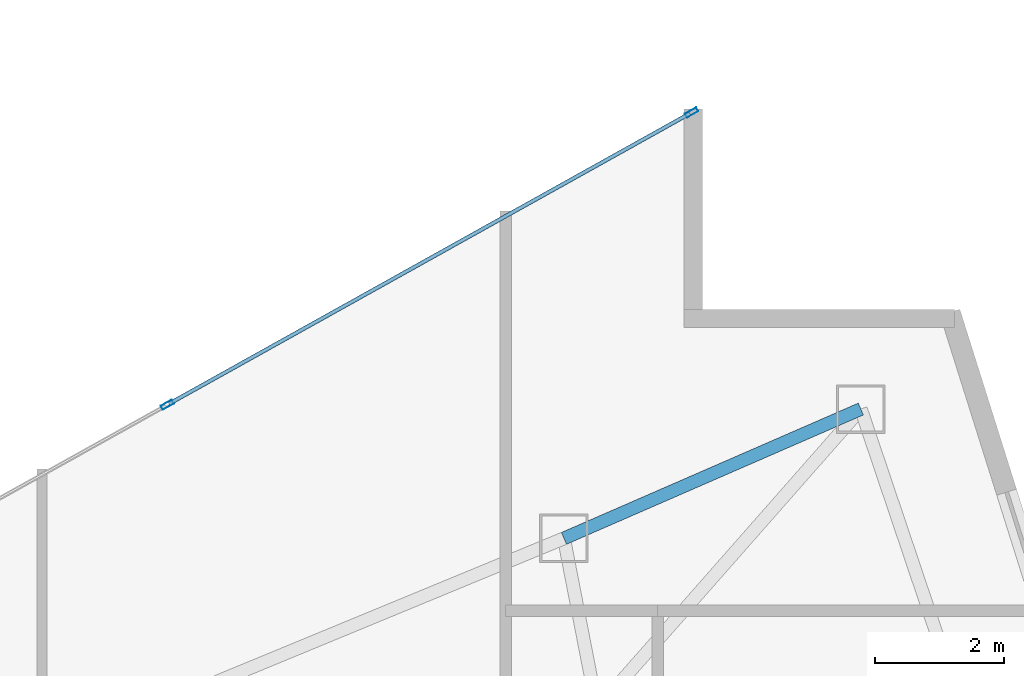
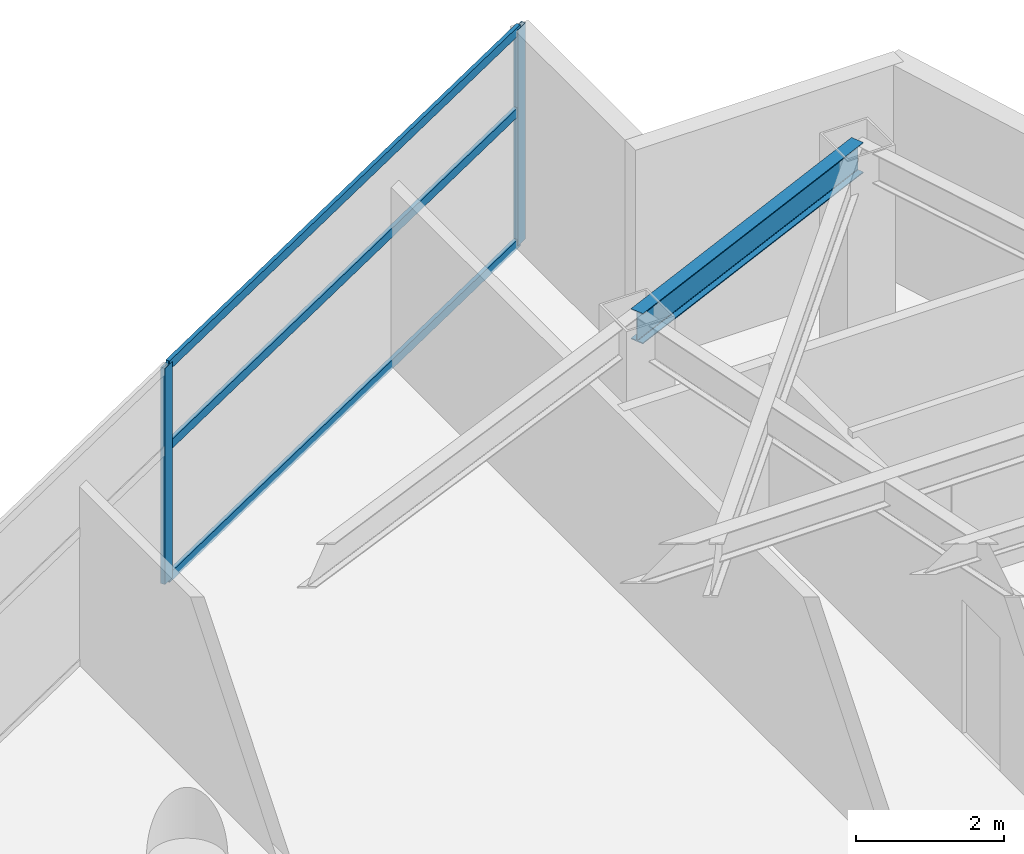
# One storey, part 20 of 28: 5 members, 1 beam, 1 element without a shape of its own.
"""IFC4 building model written with IfcOpenShell, lengths in metres."""

from ifc_helpers import new_model, si_unit, direction, frame, origin, origin_2d, place, context, subcontext, project, spatial, hollow_rectangle, i_section, extrude, material, layer, layer_set, material_profile, profile_set, type_object, element, aggregate, save


model = new_model("IFC4")

# Units and contexts
model_context = context("Model", 3, precision=1e-05, world=origin(), true_north=direction((0.0, 1.0)))
body_context = subcontext(model_context, "Body", "Model", "MODEL_VIEW")
ifc_project = project(units=[si_unit("LENGTHUNIT", "METRE"), si_unit("AREAUNIT", "SQUARE_METRE"), si_unit("VOLUMEUNIT", "CUBIC_METRE"), si_unit("PLANEANGLEUNIT", "RADIAN"), si_unit("MASSUNIT", "GRAM", prefix="KILO")], contexts=[model_context])

# Site, building, storey
site_placement = place(None, origin())
site = spatial("IfcSite", under=ifc_project, at=site_placement, CompositionType="ELEMENT")
building_placement = place(site_placement, origin())
building = spatial("IfcBuilding", under=site, at=building_placement, Name="Calvorn Quay Hotel", CompositionType="ELEMENT")
storey_placement = place(building_placement, frame((0.0, 0.0, 159.89990234375)))
storey = spatial("IfcBuildingStorey", under=building, at=storey_placement, Name="L39", CompositionType="ELEMENT", Elevation=159.89990234375)

# Beam
ifc_material_1 = material(Name="Steel Q355B", Category="steel")
ifc_material_profile_1 = material_profile(ifc_material_1, i_section(OverallWidth=0.199951171875, OverallDepth=0.5, WebThickness=0.010009765625, FlangeThickness=0.01611328125, FilletRadius=0.01611328125, at=origin_2d()), Name="HN500x200x10x16")
ifc_profile_set_1 = profile_set([ifc_material_profile_1], Name="Steel Q355B")
beam_type = type_object("IfcBeamType", Name="BM-SPANDREL-Z1", PredefinedType="SPANDREL", material=ifc_profile_set_1)
beam_placement = place(storey_placement, frame((48.591064453125, 33.39990234375, 3.2900390625), z_axis=(-0.916786146489, -0.399378469132, 0.0), x_axis=(0.399378469132, -0.916786146489, 0.0)))
element("IfcBeam", 1, at=beam_placement, inside=storey, type_object=beam_type, Name="Beam BSP-L39-E3", PredefinedType="SPANDREL", context=body_context, shape_type="SweptSolid", body=[
    extrude(i_section(OverallWidth=0.199951171875, OverallDepth=0.5, WebThickness=0.010009765625, FlangeThickness=0.01611328125, FilletRadius=0.01611328125, at=origin_2d()), origin(), (0.0, 0.0, 1.0), 5.0078125),
])

# Curtain wall, members
ifc_material_2 = material(Name="Pale Anodised Aluminium and Low-E Glass", Category="aluminium")
ifc_layer = layer(ifc_material_2, 0.219970703125)
ifc_layer_set = layer_set([ifc_layer], Name="CW-SYS-Z2")
curtain_wall_type = type_object("IfcCurtainWallType", Name="CW-SYS-Z2", PredefinedType="NOTDEFINED", material=ifc_layer_set)
curtain_wall_placement = place(storey_placement, origin())
curtain_wall = element("IfcCurtainWall", 2, at=curtain_wall_placement, inside=storey, type_object=curtain_wall_type, Name="Inner Court Curtain Wall L39-NE1", PredefinedType="NOTDEFINED")
ifc_material_3 = material(Name="Pale Anodised Aluminium 6063-T6", Category="aluminium")
ifc_material_profile_2 = material_profile(ifc_material_3, hollow_rectangle(XDim=0.070068359375, YDim=0.199951171875, WallThickness=0.00390625, at=origin_2d()), Name="ALU-M200x70x4")
ifc_profile_set_2 = profile_set([ifc_material_profile_2], Name="Pale Anodised Aluminium 6063-T6")
member_type_1 = type_object("IfcMemberType", Name="CW-SYS-Z2-MUL", PredefinedType="MULLION", material=ifc_profile_set_2)
member_1_placement = place(storey_placement, frame((45.973876953125, 37.9853515625, 0.0), z_axis=(0.0, 0.0, 1.0), x_axis=(0.486858256224, -0.873480989116, 0.0)))
member_1 = element("IfcMember", 3, at=member_1_placement, type_object=member_type_1, Name="CW-L39-NE1 mullion 1", PredefinedType="MULLION", context=body_context, shape_type="SweptSolid", body=[
    extrude(hollow_rectangle(XDim=0.070068359375, YDim=0.199951171875, WallThickness=0.00390625, at=origin_2d()), origin(), (0.0, 0.0, 1.0), 3.56005859375),
])
member_2_placement = place(storey_placement, frame((37.86669921875, 33.466552734375, 0.0), z_axis=(0.0, 0.0, 1.0), x_axis=(0.486858256224, -0.873480989116, 0.0)))
member_2 = element("IfcMember", 4, at=member_2_placement, type_object=member_type_1, Name="CW-L39-NE1 mullion 2", PredefinedType="MULLION", context=body_context, shape_type="SweptSolid", body=[
    extrude(hollow_rectangle(XDim=0.070068359375, YDim=0.199951171875, WallThickness=0.00390625, at=origin_2d()), origin(), (0.0, 0.0, 1.0), 3.56005859375),
])
ifc_material_4 = material(Name="Pale Anodised Aluminium 6063-T6", Category="aluminium")
ifc_material_profile_3 = material_profile(ifc_material_4, hollow_rectangle(XDim=0.06005859375, YDim=0.14990234375, WallThickness=0.00341796875, at=origin_2d()), Name="ALU-T150x60x3.5")
ifc_profile_set_3 = profile_set([ifc_material_profile_3], Name="Pale Anodised Aluminium 6063-T6")
member_type_2 = type_object("IfcMemberType", Name="CW-SYS-Z2-TRN", PredefinedType="USERDEFINED", material=ifc_profile_set_3)
member_3_placement = place(storey_placement, frame((45.947509765625, 37.970703125, 0.030029296875), z_axis=(-0.87348080454, -0.486858587375, 0.0), x_axis=(0.486858587375, -0.87348080454, 0.0)))
member_3 = element("IfcMember", 5, at=member_3_placement, type_object=member_type_2, Name="CW-L39-NE1 transom 1.1", ObjectType="TRANSOM", PredefinedType="USERDEFINED", context=body_context, shape_type="SweptSolid", body=[
    extrude(hollow_rectangle(XDim=0.06005859375, YDim=0.14990234375, WallThickness=0.00341796875, at=origin_2d()), origin(), (0.0, 0.0, 1.0), 9.221435546875),
])
member_4_placement = place(storey_placement, frame((45.947509765625, 37.970703125, 2.2001953125), z_axis=(-0.87348080454, -0.486858587375, 0.0), x_axis=(0.486858587375, -0.87348080454, 0.0)))
member_4 = element("IfcMember", 6, at=member_4_placement, type_object=member_type_2, Name="CW-L39-NE1 transom 1.2", ObjectType="TRANSOM", PredefinedType="USERDEFINED", context=body_context, shape_type="SweptSolid", body=[
    extrude(hollow_rectangle(XDim=0.06005859375, YDim=0.14990234375, WallThickness=0.00341796875, at=origin_2d()), origin(), (0.0, 0.0, 1.0), 9.221435546875),
])
member_5_placement = place(storey_placement, frame((45.947509765625, 37.970703125, 3.530029296875), z_axis=(-0.87348080454, -0.486858587375, 0.0), x_axis=(0.486858587375, -0.87348080454, 0.0)))
member_5 = element("IfcMember", 7, at=member_5_placement, type_object=member_type_2, Name="CW-L39-NE1 transom 1.3", ObjectType="TRANSOM", PredefinedType="USERDEFINED", context=body_context, shape_type="SweptSolid", body=[
    extrude(hollow_rectangle(XDim=0.06005859375, YDim=0.14990234375, WallThickness=0.00341796875, at=origin_2d()), origin(), (0.0, 0.0, 1.0), 9.221435546875),
])
aggregate(curtain_wall, [member_1, member_2, member_3, member_4, member_5])

save(model, "model.ifc")
